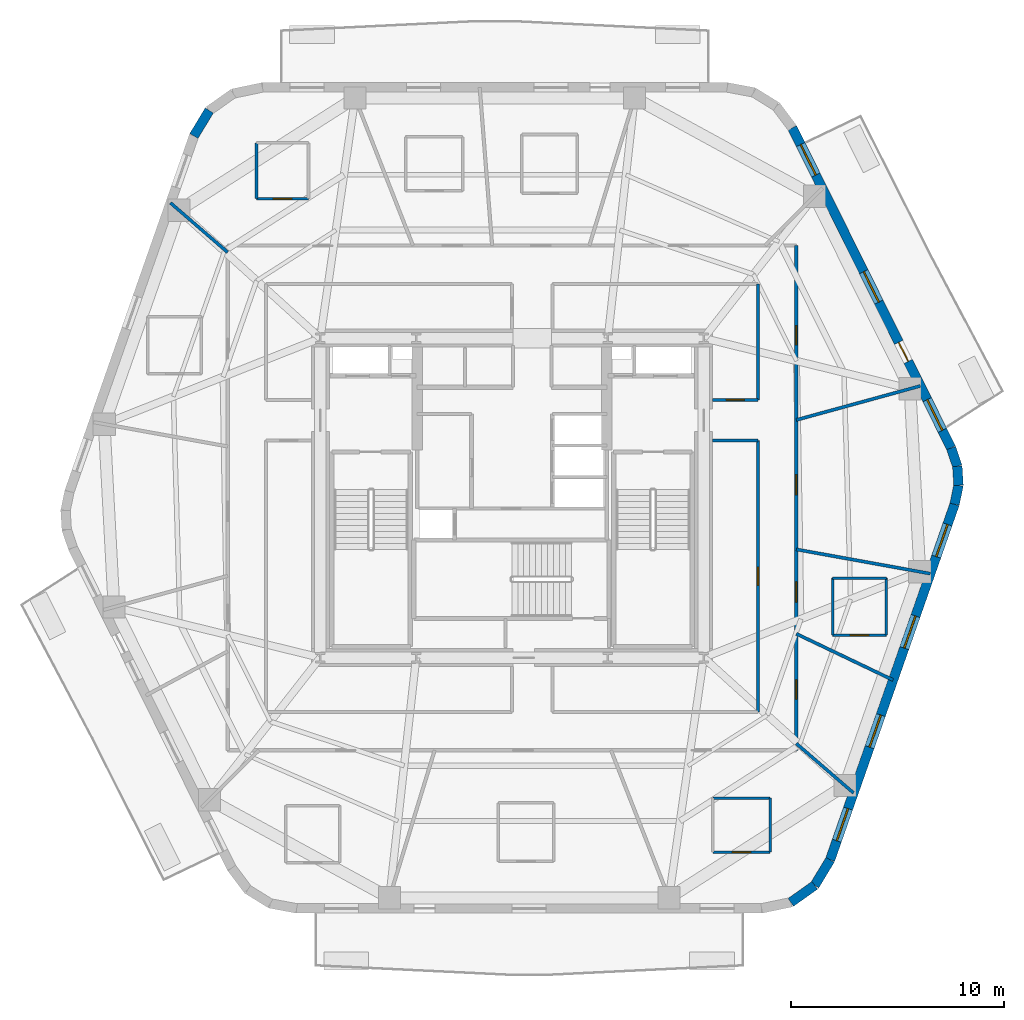
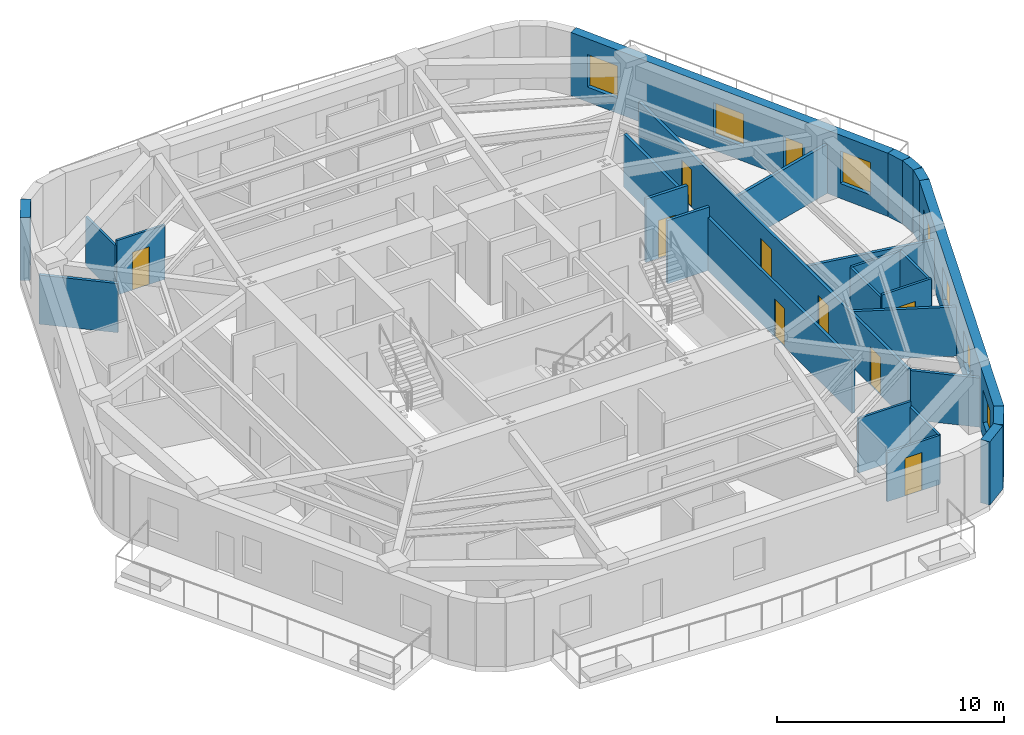
# One storey, part 5 of 10: 27 walls, 10 doors, 7 windows, 17 openings.
"""IFC4 building model written with IfcOpenShell, lengths in metres."""

from ifc_helpers import new_model, si_unit, direction, frame, frame_2d, origin, place, context, subcontext, project, spatial, rectangle, extrude, material, layer, layer_set, type_object, element, fill, save


model = new_model("IFC4")

# Units and contexts
model_context = context("Model", 3, precision=1e-05, world=origin(), true_north=direction((0.0, 1.0)))
body_context = subcontext(model_context, "Body", "Model", "MODEL_VIEW")
ifc_project = project(units=[si_unit("LENGTHUNIT", "METRE"), si_unit("AREAUNIT", "SQUARE_METRE"), si_unit("VOLUMEUNIT", "CUBIC_METRE"), si_unit("PLANEANGLEUNIT", "RADIAN"), si_unit("MASSUNIT", "GRAM", prefix="KILO")], contexts=[model_context])

# Site, building, storey
site_placement = place(None, origin())
site = spatial("IfcSite", under=ifc_project, at=site_placement, CompositionType="ELEMENT")
building_placement = place(site_placement, origin())
building = spatial("IfcBuilding", under=site, at=building_placement, Name="Kilnhurst Terrace Hotel", CompositionType="ELEMENT")
storey_placement = place(building_placement, frame((0.0, 0.0, 148.0)))
storey = spatial("IfcBuildingStorey", under=building, at=storey_placement, Name="L36", CompositionType="ELEMENT", Elevation=148.0)

# Walls
ifc_material_1 = material(Name="Precast concrete C40/50", Category="concrete")
ifc_layer_1 = layer(ifc_material_1, 0.449951171875, Name="Precast concrete C40/50")
ifc_layer_set_1 = layer_set([ifc_layer_1], Name="Precast concrete C40/50")
wall_type_1 = type_object("IfcWallType", Name="WL-BRK-450", PredefinedType="SOLIDWALL", material=ifc_layer_set_1)
wall_1_placement = place(storey_placement, frame((13.091064453125, -18.989013671875, 0.0), z_axis=(0.0, 0.0, 1.0), x_axis=(0.815574637848, 0.578651890258, 0.0)))
element("IfcWall", 1, at=wall_1_placement, inside=storey, type_object=wall_type_1, Name="L36 Rounded Corner Brick Wall C2.2", PredefinedType="SOLIDWALL", context=body_context, shape_type="SweptSolid", body=[
    extrude(rectangle(XDim=1.376708984375, YDim=0.449951171875, at=frame_2d((0.6884765625, 0.0))), origin(), (0.0, 0.0, 1.0), 3.39990234375),
])
wall_2_placement = place(storey_placement, frame((14.2138671875, -18.1923828125, 0.0), z_axis=(0.0, 0.0, 1.0), x_axis=(0.516340945502, 0.856383108193, 0.0)))
element("IfcWall", 2, at=wall_2_placement, inside=storey, type_object=wall_type_1, Name="L36 Rounded Corner Brick Wall C2.3", PredefinedType="SOLIDWALL", context=body_context, shape_type="SweptSolid", body=[
    extrude(rectangle(XDim=1.400146484375, YDim=0.449951171875, at=frame_2d((0.7001953125, 0.0))), origin(), (0.0, 0.0, 1.0), 3.39990234375),
])
wall_3_placement = place(storey_placement, frame((20.78173828125, -0.298095703125, 0.0), z_axis=(0.0, 0.0, 1.0), x_axis=(0.202570068411, 0.979267771033, 0.0)))
element("IfcWall", 3, at=wall_3_placement, inside=storey, type_object=wall_type_1, Name="L36 Rounded Corner Brick Wall C3.1", PredefinedType="SOLIDWALL", context=body_context, shape_type="SweptSolid", body=[
    extrude(rectangle(XDim=0.90869140625, YDim=0.449951171875, at=frame_2d((0.454345703125, 0.0))), origin(), (0.0, 0.0, 1.0), 3.39990234375),
])
wall_4_placement = place(storey_placement, frame((20.9658203125, 0.591796875, 0.0), z_axis=(0.0, 0.0, 1.0), x_axis=(-0.061748898935, 0.998091715966, 0.0)))
element("IfcWall", 4, at=wall_4_placement, inside=storey, type_object=wall_type_1, Name="L36 Rounded Corner Brick Wall C3.2", PredefinedType="SOLIDWALL", context=body_context, shape_type="SweptSolid", body=[
    extrude(rectangle(XDim=0.8935546875, YDim=0.449951171875, at=frame_2d((0.44677734375, 0.0))), origin(), (0.0, 0.0, 1.0), 3.39990234375),
])
wall_5_placement = place(storey_placement, frame((20.91064453125, 1.483642578125, 0.0), z_axis=(0.0, 0.0, 1.0), x_axis=(-0.321623334353, 0.946867694453, 0.0)))
element("IfcWall", 5, at=wall_5_placement, inside=storey, type_object=wall_type_1, Name="L36 Rounded Corner Brick Wall C3.3", PredefinedType="SOLIDWALL", context=body_context, shape_type="SweptSolid", body=[
    extrude(rectangle(XDim=0.90869140625, YDim=0.449951171875, at=frame_2d((0.454345703125, 0.0))), origin(), (0.0, 0.0, 1.0), 3.39990234375),
])
wall_6_placement = place(storey_placement, frame((-14.2138671875, 18.1923828125, 0.0), z_axis=(0.0, 0.0, 1.0), x_axis=(-0.516340945502, -0.856383108193, 0.0)))
element("IfcWall", 6, at=wall_6_placement, inside=storey, type_object=wall_type_1, Name="L36 Rounded Corner Brick Wall C5.3", PredefinedType="SOLIDWALL", context=body_context, shape_type="SweptSolid", body=[
    extrude(rectangle(XDim=1.400146484375, YDim=0.449951171875, at=frame_2d((0.7001953125, 0.0))), origin(), (0.0, 0.0, 1.0), 3.39990234375),
])

# Wall, openings, windows
wall_7_placement = place(storey_placement, frame((14.936767578125, -16.993408203125, 0.0), z_axis=(0.0, 0.0, 1.0), x_axis=(0.330431575061, 0.943829949834, 0.0)))
wall_7 = element("IfcWall", 7, at=wall_7_placement, inside=storey, type_object=wall_type_1, Name="L36 Exterior Brick Facade Wall F2", PredefinedType="SOLIDWALL", context=body_context, shape_type="SweptSolid", body=[
    extrude(rectangle(XDim=17.68896484375, YDim=0.449951171875, at=frame_2d((8.844482421875, 0.0))), origin(), (0.0, 0.0, 1.0), 3.39990234375),
])
opening_1_placement = place(wall_7_placement, frame((0.949951171875, 0.0, 0.800048828125)))
opening_1 = element("IfcOpeningElement", 8, at=opening_1_placement, cuts=wall_7, Name="Opening W-05", PredefinedType="OPENING", context=body_context, shape_type="SweptSolid", body=[
    extrude(rectangle(XDim=1.60009765625, YDim=1.75, at=frame_2d((0.800048828125, 0.875))), frame((0.0, 0.23486328125, 0.0), z_axis=(0.0, -1.0, 0.0), x_axis=(1.0, 0.0, 0.0)), (0.0, 0.0, 1.0), 0.469970703125),
])
opening_2_placement = place(wall_7_placement, frame((5.60498046875, 0.0, 0.800048828125)))
opening_2 = element("IfcOpeningElement", 9, at=opening_2_placement, cuts=wall_7, Name="Opening W-05", PredefinedType="OPENING", context=body_context, shape_type="SweptSolid", body=[
    extrude(rectangle(XDim=1.60009765625, YDim=1.75, at=frame_2d((0.800048828125, 0.875))), frame((0.0, 0.23486328125, 0.0), z_axis=(0.0, -1.0, 0.0), x_axis=(1.0, 0.0, 0.0)), (0.0, 0.0, 1.0), 0.469970703125),
])
opening_3_placement = place(wall_7_placement, frame((10.531005859375, 0.0, 0.800048828125)))
opening_3 = element("IfcOpeningElement", 10, at=opening_3_placement, cuts=wall_7, Name="Opening W-05", PredefinedType="OPENING", context=body_context, shape_type="SweptSolid", body=[
    extrude(rectangle(XDim=1.60009765625, YDim=1.75, at=frame_2d((0.800048828125, 0.875))), frame((0.0, 0.23486328125, 0.0), z_axis=(0.0, -1.0, 0.0), x_axis=(1.0, 0.0, 0.0)), (0.0, 0.0, 1.0), 0.469970703125),
])
opening_4_placement = place(wall_7_placement, frame((15.083984375, 0.0, 0.800048828125)))
opening_4 = element("IfcOpeningElement", 11, at=opening_4_placement, cuts=wall_7, Name="Opening W-05", PredefinedType="OPENING", context=body_context, shape_type="SweptSolid", body=[
    extrude(rectangle(XDim=1.60009765625, YDim=1.75, at=frame_2d((0.800048828125, 0.875))), frame((0.0, 0.23486328125, 0.0), z_axis=(0.0, -1.0, 0.0), x_axis=(1.0, 0.0, 0.0)), (0.0, 0.0, 1.0), 0.469970703125),
])
ifc_material_2 = material(Name="Thermally Broken Bronze Aluminium Alloy 6063-T6 and Low-E Glass", Category="aluminium")
window_type = type_object("IfcWindowType", Name="WIN-1600X1750", PartitioningType="SINGLE_PANEL", PredefinedType="WINDOW", material=ifc_material_2)
window_1_placement = place(opening_1_placement, origin())
window_1 = element("IfcWindow", 12, at=window_1_placement, inside=storey, type_object=window_type, Name="L36 Deep-Set Masonry Window F2.1", OverallHeight=1.75, OverallWidth=1.60009765625, PartitioningType="SINGLE_PANEL", PredefinedType="WINDOW", context=body_context, shape_type="SweptSolid", body=[
    extrude(rectangle(XDim=1.60009765625, YDim=1.75, at=frame_2d((0.800048828125, 0.875))), frame((0.0, 0.030029296875, 0.0), z_axis=(0.0, -1.0, 0.0), x_axis=(1.0, 0.0, 0.0)), (0.0, 0.0, 1.0), 0.06005859375),
])
fill(opening_1, window_1)
window_2_placement = place(opening_2_placement, origin())
window_2 = element("IfcWindow", 13, at=window_2_placement, inside=storey, type_object=window_type, Name="L36 Deep-Set Masonry Window F2.2", OverallHeight=1.75, OverallWidth=1.60009765625, PartitioningType="SINGLE_PANEL", PredefinedType="WINDOW", context=body_context, shape_type="SweptSolid", body=[
    extrude(rectangle(XDim=1.60009765625, YDim=1.75, at=frame_2d((0.800048828125, 0.875))), frame((0.0, 0.030029296875, 0.0), z_axis=(0.0, -1.0, 0.0), x_axis=(1.0, 0.0, 0.0)), (0.0, 0.0, 1.0), 0.06005859375),
])
fill(opening_2, window_2)
window_3_placement = place(opening_3_placement, origin())
window_3 = element("IfcWindow", 14, at=window_3_placement, inside=storey, type_object=window_type, Name="L36 Deep-Set Masonry Window F2.3", OverallHeight=1.75, OverallWidth=1.60009765625, PartitioningType="SINGLE_PANEL", PredefinedType="WINDOW", context=body_context, shape_type="SweptSolid", body=[
    extrude(rectangle(XDim=1.60009765625, YDim=1.75, at=frame_2d((0.800048828125, 0.875))), frame((0.0, 0.030029296875, 0.0), z_axis=(0.0, -1.0, 0.0), x_axis=(1.0, 0.0, 0.0)), (0.0, 0.0, 1.0), 0.06005859375),
])
fill(opening_3, window_3)
window_4_placement = place(opening_4_placement, origin())
window_4 = element("IfcWindow", 15, at=window_4_placement, inside=storey, type_object=window_type, Name="L36 Deep-Set Masonry Window F2.4", OverallHeight=1.75, OverallWidth=1.60009765625, PartitioningType="SINGLE_PANEL", PredefinedType="WINDOW", context=body_context, shape_type="SweptSolid", body=[
    extrude(rectangle(XDim=1.60009765625, YDim=1.75, at=frame_2d((0.800048828125, 0.875))), frame((0.0, 0.030029296875, 0.0), z_axis=(0.0, -1.0, 0.0), x_axis=(1.0, 0.0, 0.0)), (0.0, 0.0, 1.0), 0.06005859375),
])
fill(opening_4, window_4)

# Wall, openings, door, windows
wall_8_placement = place(storey_placement, frame((20.618408203125, 2.343994140625, 0.0), z_axis=(0.0, 0.0, 1.0), x_axis=(-0.444243691097, 0.895905990002, 0.0)))
wall_8 = element("IfcWall", 16, at=wall_8_placement, inside=storey, type_object=wall_type_1, Name="L36 Exterior Brick Facade Wall F3", PredefinedType="SOLIDWALL", context=body_context, shape_type="SweptSolid", body=[
    extrude(rectangle(XDim=16.78369140625, YDim=0.449951171875, at=frame_2d((8.391845703125, 0.0))), origin(), (0.0, 0.0, 1.0), 3.39990234375),
])
opening_5_placement = place(wall_8_placement, frame((4.534912109375, 0.0, 0.0)))
opening_5 = element("IfcOpeningElement", 17, at=opening_5_placement, cuts=wall_8, Name="Opening BD-1000", PredefinedType="OPENING", context=body_context, shape_type="SweptSolid", body=[
    extrude(rectangle(XDim=1.0, YDim=2.14990234375, at=frame_2d((0.5, 1.074951171875))), frame((0.0, 0.23486328125, 0.0), z_axis=(0.0, -1.0, 0.0), x_axis=(1.0, 0.0, 0.0)), (0.0, 0.0, 1.0), 0.469970703125),
])
opening_6_placement = place(wall_8_placement, frame((7.64208984375, 0.0, 0.800048828125)))
opening_6 = element("IfcOpeningElement", 18, at=opening_6_placement, cuts=wall_8, Name="Opening W-05", PredefinedType="OPENING", context=body_context, shape_type="SweptSolid", body=[
    extrude(rectangle(XDim=1.60009765625, YDim=1.75, at=frame_2d((0.800048828125, 0.875))), frame((0.0, 0.23486328125, 0.0), z_axis=(0.0, -1.0, 0.0), x_axis=(1.0, 0.0, 0.0)), (0.0, 0.0, 1.0), 0.469970703125),
])
opening_7_placement = place(wall_8_placement, frame((14.302978515625, 0.0, 0.800048828125)))
opening_7 = element("IfcOpeningElement", 19, at=opening_7_placement, cuts=wall_8, Name="Opening W-05", PredefinedType="OPENING", context=body_context, shape_type="SweptSolid", body=[
    extrude(rectangle(XDim=1.60009765625, YDim=1.75, at=frame_2d((0.800048828125, 0.875))), frame((0.0, 0.23486328125, 0.0), z_axis=(0.0, -1.0, 0.0), x_axis=(1.0, 0.0, 0.0)), (0.0, 0.0, 1.0), 0.469970703125),
])
opening_8_placement = place(wall_8_placement, frame((0.930908203125, 0.0, 0.800048828125)))
opening_8 = element("IfcOpeningElement", 20, at=opening_8_placement, cuts=wall_8, Name="Opening W-05", PredefinedType="OPENING", context=body_context, shape_type="SweptSolid", body=[
    extrude(rectangle(XDim=1.60009765625, YDim=1.75, at=frame_2d((0.800048828125, 0.875))), frame((0.0, 0.23486328125, 0.0), z_axis=(0.0, -1.0, 0.0), x_axis=(1.0, 0.0, 0.0)), (0.0, 0.0, 1.0), 0.469970703125),
])
ifc_material_3 = material(Name="Thermally Broken Bronze Aluminium Alloy 6063-T6 and Laminated Glass", Category="aluminium")
door_type_1 = type_object("IfcDoorType", Name="DR-EXT-BAL-1000", OperationType="NOTDEFINED", PredefinedType="DOOR", material=ifc_material_3)
door_1_placement = place(opening_5_placement, origin())
door_1 = element("IfcDoor", 21, at=door_1_placement, inside=storey, type_object=door_type_1, Name="L36 Planted Balcony Door BAL-L1A", OperationType="SINGLE_SWING_LEFT", OverallHeight=2.14990234375, OverallWidth=1.0, PredefinedType="DOOR", context=body_context, shape_type="SweptSolid", body=[
    extrude(rectangle(XDim=1.0, YDim=2.14990234375, at=frame_2d((0.5, 1.074951171875))), frame((0.0, 0.02490234375, 0.0), z_axis=(0.0, -1.0, 0.0), x_axis=(1.0, 0.0, 0.0)), (0.0, 0.0, 1.0), 0.050048828125),
])
fill(opening_5, door_1)
window_5_placement = place(opening_6_placement, origin())
window_5 = element("IfcWindow", 22, at=window_5_placement, inside=storey, type_object=window_type, Name="L36 Deep-Set Masonry Window F3.1", OverallHeight=1.75, OverallWidth=1.60009765625, PartitioningType="SINGLE_PANEL", PredefinedType="WINDOW", context=body_context, shape_type="SweptSolid", body=[
    extrude(rectangle(XDim=1.60009765625, YDim=1.75, at=frame_2d((0.800048828125, 0.875))), frame((0.0, 0.030029296875, 0.0), z_axis=(0.0, -1.0, 0.0), x_axis=(1.0, 0.0, 0.0)), (0.0, 0.0, 1.0), 0.06005859375),
])
fill(opening_6, window_5)
window_6_placement = place(opening_7_placement, origin())
window_6 = element("IfcWindow", 23, at=window_6_placement, inside=storey, type_object=window_type, Name="L36 Deep-Set Masonry Window F3.2", OverallHeight=1.75, OverallWidth=1.60009765625, PartitioningType="SINGLE_PANEL", PredefinedType="WINDOW", context=body_context, shape_type="SweptSolid", body=[
    extrude(rectangle(XDim=1.60009765625, YDim=1.75, at=frame_2d((0.800048828125, 0.875))), frame((0.0, 0.030029296875, 0.0), z_axis=(0.0, -1.0, 0.0), x_axis=(1.0, 0.0, 0.0)), (0.0, 0.0, 1.0), 0.06005859375),
])
fill(opening_7, window_6)
window_7_placement = place(opening_8_placement, origin())
window_7 = element("IfcWindow", 24, at=window_7_placement, inside=storey, type_object=window_type, Name="L36 Deep-Set Masonry Window F3.3", OverallHeight=1.75, OverallWidth=1.60009765625, PartitioningType="SINGLE_PANEL", PredefinedType="WINDOW", context=body_context, shape_type="SweptSolid", body=[
    extrude(rectangle(XDim=1.60009765625, YDim=1.75, at=frame_2d((0.800048828125, 0.875))), frame((0.0, 0.030029296875, 0.0), z_axis=(0.0, -1.0, 0.0), x_axis=(1.0, 0.0, 0.0)), (0.0, 0.0, 1.0), 0.06005859375),
])
fill(opening_8, window_7)

# Wall, openings, doors
ifc_material_4 = material(Name="Acoustic Double-Gypsum Corridor Partition Assembly")
ifc_layer_2 = layer(ifc_material_4, 0.14990234375, Name="Acoustic Double-Gypsum Corridor Partition Assembly")
ifc_layer_set_2 = layer_set([ifc_layer_2], Name="Acoustic Double-Gypsum Corridor Partition Assembly")
wall_type_2 = type_object("IfcWallType", Name="WL-COR-150", PredefinedType="PARTITIONING", material=ifc_layer_set_2)
wall_9_placement = place(storey_placement, frame((13.35009765625, 11.85009765625, 0.0), z_axis=(0.0, 0.0, 1.0), x_axis=(0.0, -1.0, 0.0)))
wall_9 = element("IfcWall", 25, at=wall_9_placement, inside=storey, type_object=wall_type_2, Name="L36 Interior Wall WL-L36-COR-04", PredefinedType="PARTITIONING", context=body_context, shape_type="SweptSolid", body=[
    extrude(rectangle(XDim=23.7001953125, YDim=0.14990234375, at=frame_2d((11.85009765625, 0.0))), origin(), (0.0, 0.0, 1.0), 2.840087890625),
])
opening_9_placement = place(wall_9_placement, frame((3.764892578125, 0.0, 0.0)))
opening_9 = element("IfcOpeningElement", 26, at=opening_9_placement, cuts=wall_9, Name="Opening D-60C", PredefinedType="OPENING", context=body_context, shape_type="SweptSolid", body=[
    extrude(rectangle(XDim=0.89990234375, YDim=2.030029296875, at=frame_2d((0.449951171875, 1.01513671875))), frame((0.0, 0.0849609375, 0.0), z_axis=(0.0, -1.0, 0.0), x_axis=(1.0, 0.0, 0.0)), (0.0, 0.0, 1.0), 0.169921875),
])
opening_10_placement = place(wall_9_placement, frame((20.39501953125, 0.0, 0.0)))
opening_10 = element("IfcOpeningElement", 27, at=opening_10_placement, cuts=wall_9, Name="Opening D-60C", PredefinedType="OPENING", context=body_context, shape_type="SweptSolid", body=[
    extrude(rectangle(XDim=0.89990234375, YDim=2.030029296875, at=frame_2d((0.449951171875, 1.01513671875))), frame((0.0, 0.0849609375, 0.0), z_axis=(0.0, -1.0, 0.0), x_axis=(1.0, 0.0, 0.0)), (0.0, 0.0, 1.0), 0.169921875),
])
opening_11_placement = place(wall_9_placement, frame((15.787109375, 0.0, 0.0)))
opening_11 = element("IfcOpeningElement", 28, at=opening_11_placement, cuts=wall_9, Name="Opening D-60B", PredefinedType="OPENING", context=body_context, shape_type="SweptSolid", body=[
    extrude(rectangle(XDim=0.949951171875, YDim=2.030029296875, at=frame_2d((0.47509765625, 1.01513671875))), frame((0.0, 0.0849609375, 0.0), z_axis=(0.0, -1.0, 0.0), x_axis=(1.0, 0.0, 0.0)), (0.0, 0.0, 1.0), 0.169921875),
])
opening_12_placement = place(wall_9_placement, frame((10.7509765625, 0.0, 0.0)))
opening_12 = element("IfcOpeningElement", 29, at=opening_12_placement, cuts=wall_9, Name="Opening D-60B", PredefinedType="OPENING", context=body_context, shape_type="SweptSolid", body=[
    extrude(rectangle(XDim=0.949951171875, YDim=2.030029296875, at=frame_2d((0.47509765625, 1.01513671875))), frame((0.0, 0.0849609375, 0.0), z_axis=(0.0, -1.0, 0.0), x_axis=(1.0, 0.0, 0.0)), (0.0, 0.0, 1.0), 0.169921875),
])
ifc_material_5 = material(Name="Painted Solid-Core Service Fire Door")
door_type_2 = type_object("IfcDoorType", Name="DR-FD60-900", OperationType="NOTDEFINED", PredefinedType="DOOR", material=ifc_material_5)
door_2_placement = place(opening_9_placement, origin())
door_2 = element("IfcDoor", 30, at=door_2_placement, inside=storey, type_object=door_type_2, Name="L36 Private Study Salon Door 1", OperationType="SINGLE_SWING_LEFT", OverallHeight=2.030029296875, OverallWidth=0.89990234375, PredefinedType="DOOR", context=body_context, shape_type="SweptSolid", body=[
    extrude(rectangle(XDim=0.89990234375, YDim=2.030029296875, at=frame_2d((0.449951171875, 1.01513671875))), frame((0.0, 0.02490234375, 0.0), z_axis=(0.0, -1.0, 0.0), x_axis=(1.0, 0.0, 0.0)), (0.0, 0.0, 1.0), 0.050048828125),
])
fill(opening_9, door_2)
door_3_placement = place(opening_10_placement, origin())
door_3 = element("IfcDoor", 31, at=door_3_placement, inside=storey, type_object=door_type_2, Name="L36 Private Meeting Salon Door 13", OperationType="SINGLE_SWING_LEFT", OverallHeight=2.030029296875, OverallWidth=0.89990234375, PredefinedType="DOOR", context=body_context, shape_type="SweptSolid", body=[
    extrude(rectangle(XDim=0.89990234375, YDim=2.030029296875, at=frame_2d((0.449951171875, 1.01513671875))), frame((0.0, 0.02490234375, 0.0), z_axis=(0.0, -1.0, 0.0), x_axis=(1.0, 0.0, 0.0)), (0.0, 0.0, 1.0), 0.050048828125),
])
fill(opening_10, door_3)
ifc_material_6 = material(Name="Acoustic Walnut Veneer Solid-Core Fire Door")
door_type_3 = type_object("IfcDoorType", Name="DR-FD60-950", OperationType="NOTDEFINED", PredefinedType="DOOR", material=ifc_material_6)
door_4_placement = place(opening_11_placement, origin())
door_4 = element("IfcDoor", 32, at=door_4_placement, inside=storey, type_object=door_type_3, Name="L36 Guest Room Entry Door 14", OperationType="SINGLE_SWING_RIGHT", OverallHeight=2.030029296875, OverallWidth=0.949951171875, PredefinedType="DOOR", context=body_context, shape_type="SweptSolid", body=[
    extrude(rectangle(XDim=0.949951171875, YDim=2.030029296875, at=frame_2d((0.47509765625, 1.01513671875))), frame((0.0, 0.02490234375, 0.0), z_axis=(0.0, -1.0, 0.0), x_axis=(1.0, 0.0, 0.0)), (0.0, 0.0, 1.0), 0.050048828125),
])
fill(opening_11, door_4)
door_5_placement = place(opening_12_placement, origin())
door_5 = element("IfcDoor", 33, at=door_5_placement, inside=storey, type_object=door_type_3, Name="L36 Private Study Door", OperationType="SINGLE_SWING_LEFT", OverallHeight=2.030029296875, OverallWidth=0.949951171875, PredefinedType="DOOR", context=body_context, shape_type="SweptSolid", body=[
    extrude(rectangle(XDim=0.949951171875, YDim=2.030029296875, at=frame_2d((0.47509765625, 1.01513671875))), frame((0.0, 0.02490234375, 0.0), z_axis=(0.0, -1.0, 0.0), x_axis=(1.0, 0.0, 0.0)), (0.0, 0.0, 1.0), 0.050048828125),
])
fill(opening_12, door_5)

# Wall, opening, door
wall_10_placement = place(storey_placement, frame((11.550048828125, -10.050048828125, 0.0), z_axis=(0.0, 0.0, 1.0), x_axis=(0.0, 1.0, 0.0)))
wall_10 = element("IfcWall", 34, at=wall_10_placement, inside=storey, type_object=wall_type_2, Name="L36 Interior Wall WL-L36-COR-05", PredefinedType="PARTITIONING", context=body_context, shape_type="SweptSolid", body=[
    extrude(rectangle(XDim=12.75, YDim=0.14990234375, at=frame_2d((6.375, 0.0))), origin(), (0.0, 0.0, 1.0), 2.840087890625),
])
opening_13_placement = place(wall_10_placement, frame((5.949951171875, 0.0, 0.0)))
opening_13 = element("IfcOpeningElement", 35, at=opening_13_placement, cuts=wall_10, Name="Opening D-60D", PredefinedType="OPENING", context=body_context, shape_type="SweptSolid", body=[
    extrude(rectangle(XDim=0.85009765625, YDim=2.030029296875, at=frame_2d((0.425048828125, 1.01513671875))), frame((0.0, 0.0849609375, 0.0), z_axis=(0.0, -1.0, 0.0), x_axis=(1.0, 0.0, 0.0)), (0.0, 0.0, 1.0), 0.169921875),
])
ifc_material_7 = material(Name="Painted Hollow Metal Steel ASTM A36 Riser Door", Category="steel")
door_type_4 = type_object("IfcDoorType", Name="DR-FD60-850", OperationType="NOTDEFINED", PredefinedType="DOOR", material=ifc_material_7)
door_6_placement = place(opening_13_placement, origin())
door_6 = element("IfcDoor", 36, at=door_6_placement, inside=storey, type_object=door_type_4, Name="L36 Floor Electrical Switch Room Door", OperationType="SINGLE_SWING_RIGHT", OverallHeight=2.030029296875, OverallWidth=0.85009765625, PredefinedType="DOOR", context=body_context, shape_type="SweptSolid", body=[
    extrude(rectangle(XDim=0.85009765625, YDim=2.030029296875, at=frame_2d((0.425048828125, 1.01513671875))), frame((0.0, 0.02490234375, 0.0), z_axis=(0.0, -1.0, 0.0), x_axis=(1.0, 0.0, 0.0)), (0.0, 0.0, 1.0), 0.050048828125),
])
fill(opening_13, door_6)

# Wall
wall_11_placement = place(storey_placement, frame((11.550048828125, 2.699951171875, 0.0), z_axis=(0.0, 0.0, 1.0), x_axis=(-1.0, 0.0, 0.0)))
element("IfcWall", 37, at=wall_11_placement, inside=storey, type_object=wall_type_2, Name="L36 Interior Wall WL-L36-COR-06", PredefinedType="PARTITIONING", context=body_context, shape_type="SweptSolid", body=[
    extrude(rectangle(XDim=2.125, YDim=0.14990234375, at=frame_2d((1.0625, 0.0))), origin(), (0.0, 0.0, 1.0), 3.39990234375),
])

# Wall, opening, door
wall_12_placement = place(storey_placement, frame((9.425048828125, 4.60009765625, 0.0), z_axis=(0.0, 0.0, 1.0), x_axis=(1.0, 0.0, 0.0)))
wall_12 = element("IfcWall", 38, at=wall_12_placement, inside=storey, type_object=wall_type_2, Name="L36 Interior Wall WL-L36-COR-07", PredefinedType="PARTITIONING", context=body_context, shape_type="SweptSolid", body=[
    extrude(rectangle(XDim=2.125, YDim=0.14990234375, at=frame_2d((1.0625, 0.0))), origin(), (0.0, 0.0, 1.0), 3.39990234375),
])
opening_14_placement = place(wall_12_placement, frame((0.636962890625, 0.0, 0.0)))
opening_14 = element("IfcOpeningElement", 39, at=opening_14_placement, cuts=wall_12, Name="Opening D-60D", PredefinedType="OPENING", context=body_context, shape_type="SweptSolid", body=[
    extrude(rectangle(XDim=0.85009765625, YDim=2.030029296875, at=frame_2d((0.425048828125, 1.01513671875))), frame((0.0, 0.0849609375, 0.0), z_axis=(0.0, -1.0, 0.0), x_axis=(1.0, 0.0, 0.0)), (0.0, 0.0, 1.0), 0.169921875),
])
door_7_placement = place(opening_14_placement, origin())
door_7 = element("IfcDoor", 40, at=door_7_placement, inside=storey, type_object=door_type_4, Name="L36 Floor Beverage Service Room Door", OperationType="SINGLE_SWING_LEFT", OverallHeight=2.030029296875, OverallWidth=0.85009765625, PredefinedType="DOOR", context=body_context, shape_type="SweptSolid", body=[
    extrude(rectangle(XDim=0.85009765625, YDim=2.030029296875, at=frame_2d((0.425048828125, 1.01513671875))), frame((0.0, 0.02490234375, 0.0), z_axis=(0.0, -1.0, 0.0), x_axis=(1.0, 0.0, 0.0)), (0.0, 0.0, 1.0), 0.050048828125),
])
fill(opening_14, door_7)

# Walls
wall_13_placement = place(storey_placement, frame((11.550048828125, 4.60009765625, 0.0), z_axis=(0.0, 0.0, 1.0), x_axis=(0.0, 1.0, 0.0)))
element("IfcWall", 41, at=wall_13_placement, inside=storey, type_object=wall_type_2, Name="L36 Interior Wall WL-L36-COR-08", PredefinedType="PARTITIONING", context=body_context, shape_type="SweptSolid", body=[
    extrude(rectangle(XDim=5.449951171875, YDim=0.14990234375, at=frame_2d((2.72509765625, 0.0))), origin(), (0.0, 0.0, 1.0), 2.840087890625),
])
ifc_material_8 = material(Name="STC-58 Acoustic Twin-Frame Guestroom Demising Partition")
ifc_layer_3 = layer(ifc_material_8, 0.14990234375, Name="STC-58 Acoustic Twin-Frame Guestroom Demising Partition")
ifc_layer_set_3 = layer_set([ifc_layer_3], Name="STC-58 Acoustic Twin-Frame Guestroom Demising Partition")
wall_type_3 = type_object("IfcWallType", Name="WL-DEM-150", PredefinedType="PARTITIONING", material=ifc_layer_set_3)
wall_14_placement = place(storey_placement, frame((13.35009765625, 3.66064453125, 0.0), z_axis=(0.0, 0.0, 1.0), x_axis=(0.964397145454, 0.264458211898, 0.0)))
element("IfcWall", 42, at=wall_14_placement, inside=storey, type_object=wall_type_3, Name="L36 Interior Wall WL-L36-DEM-COL01-01-1", PredefinedType="PARTITIONING", context=body_context, shape_type="SweptSolid", body=[
    extrude(rectangle(XDim=6.03857421875, YDim=0.14990234375, at=frame_2d((3.019287109375, 0.0))), origin(), (0.0, 0.0, 1.0), 2.639892578125),
])
for number, where, z_axis, x_axis, name in (
    (43, (-13.35009765625, 11.53271484375, 0.0), (0.0, 0.0, 1.0), (-0.756711647314, 0.65374879183, 0.0), "L36 Interior Wall WL-L36-DEM-COL05-06-1"),
    (44, (13.35009765625, -11.53271484375, 0.0), (0.0, 0.0, 1.0), (0.756711647314, -0.65374879183, 0.0), "L36 Interior Wall WL-L36-DEM-COL11-13-1"),
):
    element("IfcWall", number, at=place(storey_placement, frame(where, z_axis=z_axis, x_axis=x_axis)), inside=storey, type_object=wall_type_3, Name=name, PredefinedType="PARTITIONING", context=body_context, shape_type="SweptSolid", body=[
        extrude(rectangle(XDim=3.549560546875, YDim=0.14990234375, at=frame_2d((1.77490234375, 0.0))), origin(), (0.0, 0.0, 1.0), 2.639892578125),
    ])
wall_15_placement = place(storey_placement, frame((13.35009765625, -6.3798828125, 0.0), z_axis=(0.0, 0.0, 1.0), x_axis=(0.90225728206, -0.431198094812, 0.0)))
element("IfcWall", 45, at=wall_15_placement, inside=storey, type_object=wall_type_3, Name="L36 Interior Wall WL-L36-DEM-MID11-14-1", PredefinedType="PARTITIONING", context=body_context, shape_type="SweptSolid", body=[
    extrude(rectangle(XDim=5.03466796875, YDim=0.14990234375, at=frame_2d((2.517333984375, 0.0))), origin(), (0.0, 0.0, 1.0), 2.639892578125),
])
wall_16_placement = place(storey_placement, frame((13.35009765625, -2.417236328125, 0.0), z_axis=(0.0, 0.0, 1.0), x_axis=(0.98399796473, -0.178179699761, 0.0)))
element("IfcWall", 46, at=wall_16_placement, inside=storey, type_object=wall_type_3, Name="L36 Interior Wall WL-L36-DEM-COL12-15-1", PredefinedType="PARTITIONING", context=body_context, shape_type="SweptSolid", body=[
    extrude(rectangle(XDim=6.393310546875, YDim=0.14990234375, at=frame_2d((3.19677734375, 0.0))), origin(), (0.0, 0.0, 1.0), 2.639892578125),
])

# Wall, opening, door
ifc_material_9 = material(Name="120 mm Moisture-Resistant Tile-Backed Bathroom Partition")
ifc_layer_4 = layer(ifc_material_9, 0.1201171875, Name="120 mm Moisture-Resistant Tile-Backed Bathroom Partition")
ifc_layer_set_4 = layer_set([ifc_layer_4], Name="120 mm Moisture-Resistant Tile-Backed Bathroom Partition")
wall_type_4 = type_object("IfcWallType", Name="WL-PART-120", PredefinedType="PARTITIONING", material=ifc_layer_set_4)
wall_17_placement = place(storey_placement, frame((-11.99609375, 14.056884765625, 0.0), z_axis=(0.0, 0.0, 1.0), x_axis=(1.0, 0.0, 0.0)))
wall_17 = element("IfcWall", 47, at=wall_17_placement, inside=storey, type_object=wall_type_4, Name="L36 Interior Wall WL-L36-BTH-05-1", PredefinedType="PARTITIONING", context=body_context, shape_type="SweptSolid", body=[
    extrude(rectangle(XDim=2.440185546875, YDim=0.1201171875, at=frame_2d((1.22021484375, 0.0))), origin(), (0.0, 0.0, 1.0), 2.926513671875),
])
opening_15_placement = place(wall_17_placement, frame((0.794921875, 0.0, 0.0)))
opening_15 = element("IfcOpeningElement", 48, at=opening_15_placement, cuts=wall_17, Name="Opening D-08A", PredefinedType="OPENING", context=body_context, shape_type="SweptSolid", body=[
    extrude(rectangle(XDim=0.85009765625, YDim=2.030029296875, at=frame_2d((0.425048828125, 1.01513671875))), frame((0.0, 0.070068359375, 0.0), z_axis=(0.0, -1.0, 0.0), x_axis=(1.0, 0.0, 0.0)), (0.0, 0.0, 1.0), 0.14013671875),
])
ifc_material_10 = material(Name="Moisture-Resistant Lacquered En-suite Bathroom Door")
door_type_5 = type_object("IfcDoorType", Name="DR-INT-850", OperationType="NOTDEFINED", PredefinedType="DOOR", material=ifc_material_10)
door_8_placement = place(opening_15_placement, origin())
door_8 = element("IfcDoor", 49, at=door_8_placement, inside=storey, type_object=door_type_5, Name="L36 En-suite Bathroom Door 5", OperationType="SINGLE_SWING_RIGHT", OverallHeight=2.030029296875, OverallWidth=0.85009765625, PredefinedType="DOOR", context=body_context, shape_type="SweptSolid", body=[
    extrude(rectangle(XDim=0.85009765625, YDim=2.030029296875, at=frame_2d((0.425048828125, 1.01513671875))), frame((0.0, 0.02490234375, 0.0), z_axis=(0.0, -1.0, 0.0), x_axis=(1.0, 0.0, 0.0)), (0.0, 0.0, 1.0), 0.050048828125),
])
fill(opening_15, door_8)

# Wall
wall_18_placement = place(storey_placement, frame((-11.99609375, 16.6669921875, 0.0), z_axis=(0.0, 0.0, 1.0), x_axis=(0.0, -1.0, 0.0)))
element("IfcWall", 50, at=wall_18_placement, inside=storey, type_object=wall_type_4, Name="L36 Interior Wall WL-L36-BTH-05-4", PredefinedType="PARTITIONING", context=body_context, shape_type="SweptSolid", body=[
    extrude(rectangle(XDim=2.610107421875, YDim=0.1201171875, at=frame_2d((1.30517578125, 0.0))), origin(), (0.0, 0.0, 1.0), 2.639892578125),
])

# Wall, opening, door
wall_19_placement = place(storey_placement, frame((9.43603515625, -16.632080078125, 0.0), z_axis=(0.0, 0.0, 1.0), x_axis=(1.0, 0.0, 0.0)))
wall_19 = element("IfcWall", 51, at=wall_19_placement, inside=storey, type_object=wall_type_4, Name="L36 Interior Wall WL-L36-BTH-12-1", PredefinedType="PARTITIONING", context=body_context, shape_type="SweptSolid", body=[
    extrude(rectangle(XDim=2.679931640625, YDim=0.1201171875, at=frame_2d((1.33984375, 0.0))), origin(), (0.0, 0.0, 1.0), 2.639892578125),
])
opening_16_placement = place(wall_19_placement, frame((0.9150390625, 0.0, 0.0)))
opening_16 = element("IfcOpeningElement", 52, at=opening_16_placement, cuts=wall_19, Name="Opening D-08A", PredefinedType="OPENING", context=body_context, shape_type="SweptSolid", body=[
    extrude(rectangle(XDim=0.85009765625, YDim=2.030029296875, at=frame_2d((0.425048828125, 1.01513671875))), frame((0.0, 0.070068359375, 0.0), z_axis=(0.0, -1.0, 0.0), x_axis=(1.0, 0.0, 0.0)), (0.0, 0.0, 1.0), 0.14013671875),
])
door_9_placement = place(opening_16_placement, origin())
door_9 = element("IfcDoor", 53, at=door_9_placement, inside=storey, type_object=door_type_5, Name="L36 En-suite Bathroom Door 12", OperationType="SINGLE_SWING_LEFT", OverallHeight=2.030029296875, OverallWidth=0.85009765625, PredefinedType="DOOR", context=body_context, shape_type="SweptSolid", body=[
    extrude(rectangle(XDim=0.85009765625, YDim=2.030029296875, at=frame_2d((0.425048828125, 1.01513671875))), frame((0.0, 0.02490234375, 0.0), z_axis=(0.0, -1.0, 0.0), x_axis=(1.0, 0.0, 0.0)), (0.0, 0.0, 1.0), 0.050048828125),
])
fill(opening_16, door_9)

# Walls
wall_20_placement = place(storey_placement, frame((12.115966796875, -16.632080078125, 0.0), z_axis=(0.0, 0.0, 1.0), x_axis=(0.0, 1.0, 0.0)))
element("IfcWall", 54, at=wall_20_placement, inside=storey, type_object=wall_type_4, Name="L36 Interior Wall WL-L36-BTH-12-2", PredefinedType="PARTITIONING", context=body_context, shape_type="SweptSolid", body=[
    extrude(rectangle(XDim=2.5400390625, YDim=0.1201171875, at=frame_2d((1.27001953125, 0.0))), origin(), (0.0, 0.0, 1.0), 2.639892578125),
])
wall_21_placement = place(storey_placement, frame((12.115966796875, -14.092041015625, 0.0), z_axis=(0.0, 0.0, 1.0), x_axis=(-1.0, 0.0, 0.0)))
element("IfcWall", 55, at=wall_21_placement, inside=storey, type_object=wall_type_4, Name="L36 Interior Wall WL-L36-BTH-12-3", PredefinedType="PARTITIONING", context=body_context, shape_type="SweptSolid", body=[
    extrude(rectangle(XDim=2.679931640625, YDim=0.1201171875, at=frame_2d((1.33984375, 0.0))), origin(), (0.0, 0.0, 1.0), 2.926513671875),
])

# Wall, opening, door
wall_22_placement = place(storey_placement, frame((15.05810546875, -6.444091796875, 0.0), z_axis=(0.0, 0.0, 1.0), x_axis=(1.0, 0.0, 0.0)))
wall_22 = element("IfcWall", 56, at=wall_22_placement, inside=storey, type_object=wall_type_4, Name="L36 Interior Wall WL-L36-BTH-14-1", PredefinedType="PARTITIONING", context=body_context, shape_type="SweptSolid", body=[
    extrude(rectangle(XDim=2.519775390625, YDim=0.1201171875, at=frame_2d((1.259765625, 0.0))), origin(), (0.0, 0.0, 1.0), 2.972412109375),
])
opening_17_placement = place(wall_22_placement, frame((0.8349609375, 0.0, 0.0)))
opening_17 = element("IfcOpeningElement", 57, at=opening_17_placement, cuts=wall_22, Name="Opening D-08A", PredefinedType="OPENING", context=body_context, shape_type="SweptSolid", body=[
    extrude(rectangle(XDim=0.85009765625, YDim=2.030029296875, at=frame_2d((0.425048828125, 1.01513671875))), frame((0.0, 0.070068359375, 0.0), z_axis=(0.0, -1.0, 0.0), x_axis=(1.0, 0.0, 0.0)), (0.0, 0.0, 1.0), 0.14013671875),
])
door_10_placement = place(opening_17_placement, origin())
door_10 = element("IfcDoor", 58, at=door_10_placement, inside=storey, type_object=door_type_5, Name="L36 En-suite Bathroom Door 14", OperationType="SINGLE_SWING_LEFT", OverallHeight=2.030029296875, OverallWidth=0.85009765625, PredefinedType="DOOR", context=body_context, shape_type="SweptSolid", body=[
    extrude(rectangle(XDim=0.85009765625, YDim=2.030029296875, at=frame_2d((0.425048828125, 1.01513671875))), frame((0.0, 0.02490234375, 0.0), z_axis=(0.0, -1.0, 0.0), x_axis=(1.0, 0.0, 0.0)), (0.0, 0.0, 1.0), 0.050048828125),
])
fill(opening_17, door_10)

# Walls
wall_23_placement = place(storey_placement, frame((17.577880859375, -6.444091796875, 0.0), z_axis=(0.0, 0.0, 1.0), x_axis=(0.0, 1.0, 0.0)))
element("IfcWall", 59, at=wall_23_placement, inside=storey, type_object=wall_type_4, Name="L36 Interior Wall WL-L36-BTH-14-2", PredefinedType="PARTITIONING", context=body_context, shape_type="SweptSolid", body=[
    extrude(rectangle(XDim=2.68017578125, YDim=0.1201171875, at=frame_2d((1.340087890625, 0.0))), origin(), (0.0, 0.0, 1.0), 2.840087890625),
])
wall_24_placement = place(storey_placement, frame((17.577880859375, -3.763916015625, 0.0), z_axis=(0.0, 0.0, 1.0), x_axis=(-1.0, 0.0, 0.0)))
element("IfcWall", 60, at=wall_24_placement, inside=storey, type_object=wall_type_4, Name="L36 Interior Wall WL-L36-BTH-14-3", PredefinedType="PARTITIONING", context=body_context, shape_type="SweptSolid", body=[
    extrude(rectangle(XDim=2.519775390625, YDim=0.1201171875, at=frame_2d((1.259765625, 0.0))), origin(), (0.0, 0.0, 1.0), 2.840576171875),
])
wall_25_placement = place(storey_placement, frame((15.05810546875, -3.763916015625, 0.0), z_axis=(0.0, 0.0, 1.0), x_axis=(0.0, -1.0, 0.0)))
element("IfcWall", 61, at=wall_25_placement, inside=storey, type_object=wall_type_4, Name="L36 Interior Wall WL-L36-BTH-14-4", PredefinedType="PARTITIONING", context=body_context, shape_type="SweptSolid", body=[
    extrude(rectangle(XDim=2.68017578125, YDim=0.1201171875, at=frame_2d((1.340087890625, 0.0))), origin(), (0.0, 0.0, 1.0), 2.840087890625),
])

save(model, "model.ifc")
